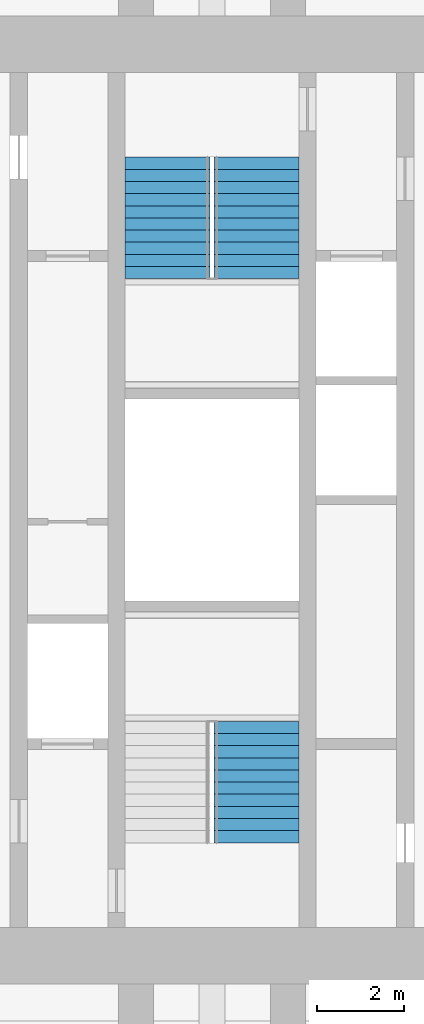
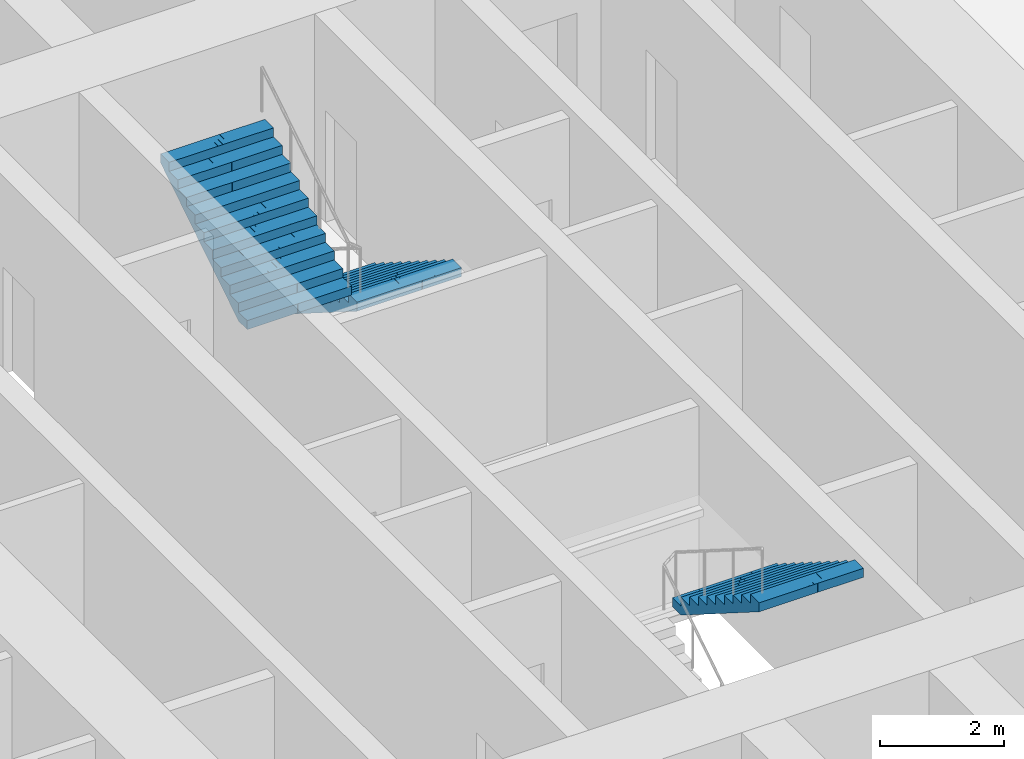
# One storey, part 16 of 17: 3 stair flights, 2 elements without a shape of their own.
"""IFC4 building model written with IfcOpenShell, lengths in metres."""

from ifc_helpers import new_model, si_unit, direction, frame, origin, place, context, subcontext, project, spatial, polyline, outline, extrude, material, type_object, element, aggregate, save


model = new_model("IFC4")

# Units and contexts
model_context = context("Model", 3, precision=1e-05, world=origin(), true_north=direction((0.0, 1.0)))
body_context = subcontext(model_context, "Body", "Model", "MODEL_VIEW")
ifc_project = project(units=[si_unit("LENGTHUNIT", "METRE"), si_unit("AREAUNIT", "SQUARE_METRE"), si_unit("VOLUMEUNIT", "CUBIC_METRE"), si_unit("PLANEANGLEUNIT", "RADIAN"), si_unit("MASSUNIT", "GRAM", prefix="KILO")], contexts=[model_context])

# Site, building, storey
site_placement = place(None, origin())
site = spatial("IfcSite", under=ifc_project, at=site_placement, CompositionType="ELEMENT")
building_placement = place(site_placement, origin())
building = spatial("IfcBuilding", under=site, at=building_placement, Name="Mizan Broadcast Tower", CompositionType="ELEMENT")
storey_placement = place(building_placement, frame((0.0, 0.0, 236.10009765625)))
storey = spatial("IfcBuildingStorey", under=building, at=storey_placement, Name="L55", CompositionType="ELEMENT", Elevation=236.10009765625)

# Stair, stair flight
ifc_material_1 = material(Name="Concrete C40/50", Category="concrete")
stair_type = type_object("IfcStairType", Name="EXIT STAIR", PredefinedType="HALF_TURN_STAIR", material=ifc_material_1)
stair_1_placement = place(storey_placement, origin())
stair_1 = element("IfcStair", 1, at=stair_1_placement, inside=storey, type_object=stair_type, Name="Stair A L55", PredefinedType="HALF_TURN_STAIR")
ifc_material_2 = material(Name="Concrete C40/50", Category="concrete")
stair_flight_type = type_object("IfcStairFlightType", Name="EXIT STAIR FLIGHT", PredefinedType="STRAIGHT", material=ifc_material_2)
stair_flight_1_placement = place(storey_placement, frame((1.02490234375, -5.10009765625, 1.949951171875), z_axis=(0.0, 0.0, 1.0), x_axis=(0.0, -1.0, 0.0)))
stair_flight_1 = element("IfcStairFlight", 2, at=stair_flight_1_placement, type_object=stair_flight_type, Name="A flight 2", NumberOfRisers=11, NumberOfTreads=10, PredefinedType="STRAIGHT", RiserHeight=0.177272727, TreadLength=0.28, context=body_context, shape_type="SweptSolid", body=[
    extrude(outline(polyline([(0.0, 0.0), (0.0, 0.17724609375), (0.280029296875, 0.17724609375), (0.280029296875, 0.3544921875), (0.56005859375, 0.3544921875), (0.56005859375, 0.53173828125), (0.840087890625, 0.53173828125), (0.840087890625, 0.708984375), (1.1201171875, 0.708984375), (1.1201171875, 0.886474609375), (1.39990234375, 0.886474609375), (1.39990234375, 1.063720703125), (1.679931640625, 1.063720703125), (1.679931640625, 1.240966796875), (1.9599609375, 1.240966796875), (1.9599609375, 1.418212890625), (2.239990234375, 1.418212890625), (2.239990234375, 1.595458984375), (2.52001953125, 1.595458984375), (2.52001953125, 1.772705078125), (2.800048828125, 1.772705078125), (2.800048828125, 1.949951171875), (2.800048828125, 1.59521484375), (0.2802734375, 0.0), (0.0, 0.0)])), frame((0.0, 0.97509765625, 0.0), z_axis=(0.0, -1.0, 0.0), x_axis=(1.0, 0.0, 0.0)), (0.0, 0.0, 1.0), 0.4873046875),
    extrude(outline(polyline([(0.0, 0.0), (0.0, 0.17724609375), (0.280029296875, 0.17724609375), (0.280029296875, 0.3544921875), (0.56005859375, 0.3544921875), (0.56005859375, 0.53173828125), (0.840087890625, 0.53173828125), (0.840087890625, 0.708984375), (1.1201171875, 0.708984375), (1.1201171875, 0.886474609375), (1.39990234375, 0.886474609375), (1.39990234375, 1.063720703125), (1.679931640625, 1.063720703125), (1.679931640625, 1.240966796875), (1.9599609375, 1.240966796875), (1.9599609375, 1.418212890625), (2.239990234375, 1.418212890625), (2.239990234375, 1.595458984375), (2.52001953125, 1.595458984375), (2.52001953125, 1.772705078125), (2.800048828125, 1.772705078125), (2.800048828125, 1.949951171875), (2.800048828125, 1.59521484375), (0.2802734375, 0.0), (0.0, 0.0)])), frame((0.0, 0.4873046875, 0.0), z_axis=(0.0, -1.0, 0.0), x_axis=(1.0, 0.0, 0.0)), (0.0, 0.0, 1.0), 0.2431640625),
    extrude(outline(polyline([(0.0, 0.0), (0.0, 0.17724609375), (0.280029296875, 0.17724609375), (0.280029296875, 0.3544921875), (0.56005859375, 0.3544921875), (0.56005859375, 0.53173828125), (0.840087890625, 0.53173828125), (0.840087890625, 0.708984375), (1.1201171875, 0.708984375), (1.1201171875, 0.886474609375), (1.39990234375, 0.886474609375), (1.39990234375, 1.063720703125), (1.679931640625, 1.063720703125), (1.679931640625, 1.240966796875), (1.9599609375, 1.240966796875), (1.9599609375, 1.418212890625), (2.239990234375, 1.418212890625), (2.239990234375, 1.595458984375), (2.52001953125, 1.595458984375), (2.52001953125, 1.772705078125), (2.800048828125, 1.772705078125), (2.800048828125, 1.949951171875), (2.800048828125, 1.59521484375), (0.2802734375, 0.0), (0.0, 0.0)])), frame((0.0, 0.24365234375, 0.0), z_axis=(0.0, -1.0, 0.0), x_axis=(1.0, 0.0, 0.0)), (0.0, 0.0, 1.0), 0.121337890625),
    extrude(outline(polyline([(0.0, 0.0), (0.0, 0.17724609375), (0.280029296875, 0.17724609375), (0.280029296875, 0.3544921875), (0.56005859375, 0.3544921875), (0.56005859375, 0.53173828125), (0.840087890625, 0.53173828125), (0.840087890625, 0.708984375), (1.1201171875, 0.708984375), (1.1201171875, 0.886474609375), (1.39990234375, 0.886474609375), (1.39990234375, 1.063720703125), (1.679931640625, 1.063720703125), (1.679931640625, 1.240966796875), (1.9599609375, 1.240966796875), (1.9599609375, 1.418212890625), (2.239990234375, 1.418212890625), (2.239990234375, 1.595458984375), (2.52001953125, 1.595458984375), (2.52001953125, 1.772705078125), (2.800048828125, 1.772705078125), (2.800048828125, 1.949951171875), (2.800048828125, 1.59521484375), (0.2802734375, 0.0), (0.0, 0.0)])), frame((0.0, 0.121826171875, 0.0), z_axis=(0.0, -1.0, 0.0), x_axis=(1.0, 0.0, 0.0)), (0.0, 0.0, 1.0), 0.060546875),
    extrude(outline(polyline([(0.0, 0.0), (0.0, 0.17724609375), (0.280029296875, 0.17724609375), (0.280029296875, 0.3544921875), (0.56005859375, 0.3544921875), (0.56005859375, 0.53173828125), (0.840087890625, 0.53173828125), (0.840087890625, 0.708984375), (1.1201171875, 0.708984375), (1.1201171875, 0.886474609375), (1.39990234375, 0.886474609375), (1.39990234375, 1.063720703125), (1.679931640625, 1.063720703125), (1.679931640625, 1.240966796875), (1.9599609375, 1.240966796875), (1.9599609375, 1.418212890625), (2.239990234375, 1.418212890625), (2.239990234375, 1.595458984375), (2.52001953125, 1.595458984375), (2.52001953125, 1.772705078125), (2.800048828125, 1.772705078125), (2.800048828125, 1.949951171875), (2.800048828125, 1.59521484375), (0.2802734375, 0.0), (0.0, 0.0)])), frame((0.0, 0.060791015625, 0.0), z_axis=(0.0, -1.0, 0.0), x_axis=(1.0, 0.0, 0.0)), (0.0, 0.0, 1.0), 0.030029296875),
    extrude(outline(polyline([(0.0, 0.0), (0.0, 0.17724609375), (0.280029296875, 0.17724609375), (0.280029296875, 0.3544921875), (0.56005859375, 0.3544921875), (0.56005859375, 0.53173828125), (0.840087890625, 0.53173828125), (0.840087890625, 0.708984375), (1.1201171875, 0.708984375), (1.1201171875, 0.886474609375), (1.39990234375, 0.886474609375), (1.39990234375, 1.063720703125), (1.679931640625, 1.063720703125), (1.679931640625, 1.240966796875), (1.9599609375, 1.240966796875), (1.9599609375, 1.418212890625), (2.239990234375, 1.418212890625), (2.239990234375, 1.595458984375), (2.52001953125, 1.595458984375), (2.52001953125, 1.772705078125), (2.800048828125, 1.772705078125), (2.800048828125, 1.949951171875), (2.800048828125, 1.59521484375), (0.2802734375, 0.0), (0.0, 0.0)])), frame((0.0, 0.0302734375, 0.0), z_axis=(0.0, -1.0, 0.0), x_axis=(1.0, 0.0, 0.0)), (0.0, 0.0, 1.0), 0.060302734375),
    extrude(outline(polyline([(0.0, 0.0), (0.0, 0.17724609375), (0.280029296875, 0.17724609375), (0.280029296875, 0.3544921875), (0.56005859375, 0.3544921875), (0.56005859375, 0.53173828125), (0.840087890625, 0.53173828125), (0.840087890625, 0.708984375), (1.1201171875, 0.708984375), (1.1201171875, 0.886474609375), (1.39990234375, 0.886474609375), (1.39990234375, 1.063720703125), (1.679931640625, 1.063720703125), (1.679931640625, 1.240966796875), (1.9599609375, 1.240966796875), (1.9599609375, 1.418212890625), (2.239990234375, 1.418212890625), (2.239990234375, 1.595458984375), (2.52001953125, 1.595458984375), (2.52001953125, 1.772705078125), (2.800048828125, 1.772705078125), (2.800048828125, 1.949951171875), (2.800048828125, 1.59521484375), (0.2802734375, 0.0), (0.0, 0.0)])), frame((0.0, -0.030517578125, 0.0), z_axis=(0.0, -1.0, 0.0), x_axis=(1.0, 0.0, 0.0)), (0.0, 0.0, 1.0), 0.030029296875),
    extrude(outline(polyline([(0.0, 0.0), (0.0, 0.17724609375), (0.280029296875, 0.17724609375), (0.280029296875, 0.3544921875), (0.56005859375, 0.3544921875), (0.56005859375, 0.53173828125), (0.840087890625, 0.53173828125), (0.840087890625, 0.708984375), (1.1201171875, 0.708984375), (1.1201171875, 0.886474609375), (1.39990234375, 0.886474609375), (1.39990234375, 1.063720703125), (1.679931640625, 1.063720703125), (1.679931640625, 1.240966796875), (1.9599609375, 1.240966796875), (1.9599609375, 1.418212890625), (2.239990234375, 1.418212890625), (2.239990234375, 1.595458984375), (2.52001953125, 1.595458984375), (2.52001953125, 1.772705078125), (2.800048828125, 1.772705078125), (2.800048828125, 1.949951171875), (2.800048828125, 1.59521484375), (0.2802734375, 0.0), (0.0, 0.0)])), frame((0.0, -0.06103515625, 0.0), z_axis=(0.0, -1.0, 0.0), x_axis=(1.0, 0.0, 0.0)), (0.0, 0.0, 1.0), 0.060546875),
    extrude(outline(polyline([(0.0, 0.0), (0.0, 0.17724609375), (0.280029296875, 0.17724609375), (0.280029296875, 0.3544921875), (0.56005859375, 0.3544921875), (0.56005859375, 0.53173828125), (0.840087890625, 0.53173828125), (0.840087890625, 0.708984375), (1.1201171875, 0.708984375), (1.1201171875, 0.886474609375), (1.39990234375, 0.886474609375), (1.39990234375, 1.063720703125), (1.679931640625, 1.063720703125), (1.679931640625, 1.240966796875), (1.9599609375, 1.240966796875), (1.9599609375, 1.418212890625), (2.239990234375, 1.418212890625), (2.239990234375, 1.595458984375), (2.52001953125, 1.595458984375), (2.52001953125, 1.772705078125), (2.800048828125, 1.772705078125), (2.800048828125, 1.949951171875), (2.800048828125, 1.59521484375), (0.2802734375, 0.0), (0.0, 0.0)])), frame((0.0, -0.1220703125, 0.0), z_axis=(0.0, -1.0, 0.0), x_axis=(1.0, 0.0, 0.0)), (0.0, 0.0, 1.0), 0.121337890625),
    extrude(outline(polyline([(0.0, 0.0), (0.0, 0.17724609375), (0.280029296875, 0.17724609375), (0.280029296875, 0.3544921875), (0.56005859375, 0.3544921875), (0.56005859375, 0.53173828125), (0.840087890625, 0.53173828125), (0.840087890625, 0.708984375), (1.1201171875, 0.708984375), (1.1201171875, 0.886474609375), (1.39990234375, 0.886474609375), (1.39990234375, 1.063720703125), (1.679931640625, 1.063720703125), (1.679931640625, 1.240966796875), (1.9599609375, 1.240966796875), (1.9599609375, 1.418212890625), (2.239990234375, 1.418212890625), (2.239990234375, 1.595458984375), (2.52001953125, 1.595458984375), (2.52001953125, 1.772705078125), (2.800048828125, 1.772705078125), (2.800048828125, 1.949951171875), (2.800048828125, 1.59521484375), (0.2802734375, 0.0), (0.0, 0.0)])), frame((0.0, -0.243896484375, 0.0), z_axis=(0.0, -1.0, 0.0), x_axis=(1.0, 0.0, 0.0)), (0.0, 0.0, 1.0), 0.2431640625),
    extrude(outline(polyline([(0.0, 0.0), (0.0, 0.17724609375), (0.280029296875, 0.17724609375), (0.280029296875, 0.3544921875), (0.56005859375, 0.3544921875), (0.56005859375, 0.53173828125), (0.840087890625, 0.53173828125), (0.840087890625, 0.708984375), (1.1201171875, 0.708984375), (1.1201171875, 0.886474609375), (1.39990234375, 0.886474609375), (1.39990234375, 1.063720703125), (1.679931640625, 1.063720703125), (1.679931640625, 1.240966796875), (1.9599609375, 1.240966796875), (1.9599609375, 1.418212890625), (2.239990234375, 1.418212890625), (2.239990234375, 1.595458984375), (2.52001953125, 1.595458984375), (2.52001953125, 1.772705078125), (2.800048828125, 1.772705078125), (2.800048828125, 1.949951171875), (2.800048828125, 1.59521484375), (0.2802734375, 0.0), (0.0, 0.0)])), frame((0.0, -0.487548828125, 0.0), z_axis=(0.0, -1.0, 0.0), x_axis=(1.0, 0.0, 0.0)), (0.0, 0.0, 1.0), 0.4873046875),
])
aggregate(stair_1, [stair_flight_1])

# Stair, stair flights
stair_2_placement = place(storey_placement, origin())
stair_2 = element("IfcStair", 3, at=stair_2_placement, inside=storey, type_object=stair_type, Name="Stair B L55", PredefinedType="HALF_TURN_STAIR")
stair_flight_2_placement = place(storey_placement, frame((1.02490234375, 7.89990234375, 0.0), z_axis=(0.0, 0.0, 1.0), x_axis=(0.0, -1.0, 0.0)))
stair_flight_2 = element("IfcStairFlight", 4, at=stair_flight_2_placement, type_object=stair_flight_type, Name="B flight 1", NumberOfRisers=11, NumberOfTreads=10, PredefinedType="STRAIGHT", RiserHeight=0.177272727, TreadLength=0.28, context=body_context, shape_type="SweptSolid", body=[
    extrude(outline(polyline([(0.0, 0.0), (0.0, 0.17724609375), (0.280029296875, 0.17724609375), (0.280029296875, 0.3544921875), (0.56005859375, 0.3544921875), (0.56005859375, 0.53173828125), (0.840087890625, 0.53173828125), (0.840087890625, 0.708984375), (1.1201171875, 0.708984375), (1.1201171875, 0.886474609375), (1.39990234375, 0.886474609375), (1.39990234375, 1.063720703125), (1.679931640625, 1.063720703125), (1.679931640625, 1.240966796875), (1.9599609375, 1.240966796875), (1.9599609375, 1.418212890625), (2.239990234375, 1.418212890625), (2.239990234375, 1.595458984375), (2.52001953125, 1.595458984375), (2.52001953125, 1.772705078125), (2.800048828125, 1.772705078125), (2.800048828125, 1.949951171875), (2.800048828125, 1.59521484375), (0.2802734375, 0.0), (0.0, 0.0)])), frame((0.0, 0.97509765625, 0.0), z_axis=(0.0, -1.0, 0.0), x_axis=(1.0, 0.0, 0.0)), (0.0, 0.0, 1.0), 0.4873046875),
    extrude(outline(polyline([(0.0, 0.0), (0.0, 0.17724609375), (0.280029296875, 0.17724609375), (0.280029296875, 0.3544921875), (0.56005859375, 0.3544921875), (0.56005859375, 0.53173828125), (0.840087890625, 0.53173828125), (0.840087890625, 0.708984375), (1.1201171875, 0.708984375), (1.1201171875, 0.886474609375), (1.39990234375, 0.886474609375), (1.39990234375, 1.063720703125), (1.679931640625, 1.063720703125), (1.679931640625, 1.240966796875), (1.9599609375, 1.240966796875), (1.9599609375, 1.418212890625), (2.239990234375, 1.418212890625), (2.239990234375, 1.595458984375), (2.52001953125, 1.595458984375), (2.52001953125, 1.772705078125), (2.800048828125, 1.772705078125), (2.800048828125, 1.949951171875), (2.800048828125, 1.59521484375), (0.2802734375, 0.0), (0.0, 0.0)])), frame((0.0, 0.4873046875, 0.0), z_axis=(0.0, -1.0, 0.0), x_axis=(1.0, 0.0, 0.0)), (0.0, 0.0, 1.0), 0.2431640625),
    extrude(outline(polyline([(0.0, 0.0), (0.0, 0.17724609375), (0.280029296875, 0.17724609375), (0.280029296875, 0.3544921875), (0.56005859375, 0.3544921875), (0.56005859375, 0.53173828125), (0.840087890625, 0.53173828125), (0.840087890625, 0.708984375), (1.1201171875, 0.708984375), (1.1201171875, 0.886474609375), (1.39990234375, 0.886474609375), (1.39990234375, 1.063720703125), (1.679931640625, 1.063720703125), (1.679931640625, 1.240966796875), (1.9599609375, 1.240966796875), (1.9599609375, 1.418212890625), (2.239990234375, 1.418212890625), (2.239990234375, 1.595458984375), (2.52001953125, 1.595458984375), (2.52001953125, 1.772705078125), (2.800048828125, 1.772705078125), (2.800048828125, 1.949951171875), (2.800048828125, 1.59521484375), (0.2802734375, 0.0), (0.0, 0.0)])), frame((0.0, 0.24365234375, 0.0), z_axis=(0.0, -1.0, 0.0), x_axis=(1.0, 0.0, 0.0)), (0.0, 0.0, 1.0), 0.121337890625),
    extrude(outline(polyline([(0.0, 0.0), (0.0, 0.17724609375), (0.280029296875, 0.17724609375), (0.280029296875, 0.3544921875), (0.56005859375, 0.3544921875), (0.56005859375, 0.53173828125), (0.840087890625, 0.53173828125), (0.840087890625, 0.708984375), (1.1201171875, 0.708984375), (1.1201171875, 0.886474609375), (1.39990234375, 0.886474609375), (1.39990234375, 1.063720703125), (1.679931640625, 1.063720703125), (1.679931640625, 1.240966796875), (1.9599609375, 1.240966796875), (1.9599609375, 1.418212890625), (2.239990234375, 1.418212890625), (2.239990234375, 1.595458984375), (2.52001953125, 1.595458984375), (2.52001953125, 1.772705078125), (2.800048828125, 1.772705078125), (2.800048828125, 1.949951171875), (2.800048828125, 1.59521484375), (0.2802734375, 0.0), (0.0, 0.0)])), frame((0.0, 0.121826171875, 0.0), z_axis=(0.0, -1.0, 0.0), x_axis=(1.0, 0.0, 0.0)), (0.0, 0.0, 1.0), 0.060546875),
    extrude(outline(polyline([(0.0, 0.0), (0.0, 0.17724609375), (0.280029296875, 0.17724609375), (0.280029296875, 0.3544921875), (0.56005859375, 0.3544921875), (0.56005859375, 0.53173828125), (0.840087890625, 0.53173828125), (0.840087890625, 0.708984375), (1.1201171875, 0.708984375), (1.1201171875, 0.886474609375), (1.39990234375, 0.886474609375), (1.39990234375, 1.063720703125), (1.679931640625, 1.063720703125), (1.679931640625, 1.240966796875), (1.9599609375, 1.240966796875), (1.9599609375, 1.418212890625), (2.239990234375, 1.418212890625), (2.239990234375, 1.595458984375), (2.52001953125, 1.595458984375), (2.52001953125, 1.772705078125), (2.800048828125, 1.772705078125), (2.800048828125, 1.949951171875), (2.800048828125, 1.59521484375), (0.2802734375, 0.0), (0.0, 0.0)])), frame((0.0, 0.060791015625, 0.0), z_axis=(0.0, -1.0, 0.0), x_axis=(1.0, 0.0, 0.0)), (0.0, 0.0, 1.0), 0.030029296875),
    extrude(outline(polyline([(0.0, 0.0), (0.0, 0.17724609375), (0.280029296875, 0.17724609375), (0.280029296875, 0.3544921875), (0.56005859375, 0.3544921875), (0.56005859375, 0.53173828125), (0.840087890625, 0.53173828125), (0.840087890625, 0.708984375), (1.1201171875, 0.708984375), (1.1201171875, 0.886474609375), (1.39990234375, 0.886474609375), (1.39990234375, 1.063720703125), (1.679931640625, 1.063720703125), (1.679931640625, 1.240966796875), (1.9599609375, 1.240966796875), (1.9599609375, 1.418212890625), (2.239990234375, 1.418212890625), (2.239990234375, 1.595458984375), (2.52001953125, 1.595458984375), (2.52001953125, 1.772705078125), (2.800048828125, 1.772705078125), (2.800048828125, 1.949951171875), (2.800048828125, 1.59521484375), (0.2802734375, 0.0), (0.0, 0.0)])), frame((0.0, 0.0302734375, 0.0), z_axis=(0.0, -1.0, 0.0), x_axis=(1.0, 0.0, 0.0)), (0.0, 0.0, 1.0), 0.060302734375),
    extrude(outline(polyline([(0.0, 0.0), (0.0, 0.17724609375), (0.280029296875, 0.17724609375), (0.280029296875, 0.3544921875), (0.56005859375, 0.3544921875), (0.56005859375, 0.53173828125), (0.840087890625, 0.53173828125), (0.840087890625, 0.708984375), (1.1201171875, 0.708984375), (1.1201171875, 0.886474609375), (1.39990234375, 0.886474609375), (1.39990234375, 1.063720703125), (1.679931640625, 1.063720703125), (1.679931640625, 1.240966796875), (1.9599609375, 1.240966796875), (1.9599609375, 1.418212890625), (2.239990234375, 1.418212890625), (2.239990234375, 1.595458984375), (2.52001953125, 1.595458984375), (2.52001953125, 1.772705078125), (2.800048828125, 1.772705078125), (2.800048828125, 1.949951171875), (2.800048828125, 1.59521484375), (0.2802734375, 0.0), (0.0, 0.0)])), frame((0.0, -0.030517578125, 0.0), z_axis=(0.0, -1.0, 0.0), x_axis=(1.0, 0.0, 0.0)), (0.0, 0.0, 1.0), 0.030029296875),
    extrude(outline(polyline([(0.0, 0.0), (0.0, 0.17724609375), (0.280029296875, 0.17724609375), (0.280029296875, 0.3544921875), (0.56005859375, 0.3544921875), (0.56005859375, 0.53173828125), (0.840087890625, 0.53173828125), (0.840087890625, 0.708984375), (1.1201171875, 0.708984375), (1.1201171875, 0.886474609375), (1.39990234375, 0.886474609375), (1.39990234375, 1.063720703125), (1.679931640625, 1.063720703125), (1.679931640625, 1.240966796875), (1.9599609375, 1.240966796875), (1.9599609375, 1.418212890625), (2.239990234375, 1.418212890625), (2.239990234375, 1.595458984375), (2.52001953125, 1.595458984375), (2.52001953125, 1.772705078125), (2.800048828125, 1.772705078125), (2.800048828125, 1.949951171875), (2.800048828125, 1.59521484375), (0.2802734375, 0.0), (0.0, 0.0)])), frame((0.0, -0.06103515625, 0.0), z_axis=(0.0, -1.0, 0.0), x_axis=(1.0, 0.0, 0.0)), (0.0, 0.0, 1.0), 0.060546875),
    extrude(outline(polyline([(0.0, 0.0), (0.0, 0.17724609375), (0.280029296875, 0.17724609375), (0.280029296875, 0.3544921875), (0.56005859375, 0.3544921875), (0.56005859375, 0.53173828125), (0.840087890625, 0.53173828125), (0.840087890625, 0.708984375), (1.1201171875, 0.708984375), (1.1201171875, 0.886474609375), (1.39990234375, 0.886474609375), (1.39990234375, 1.063720703125), (1.679931640625, 1.063720703125), (1.679931640625, 1.240966796875), (1.9599609375, 1.240966796875), (1.9599609375, 1.418212890625), (2.239990234375, 1.418212890625), (2.239990234375, 1.595458984375), (2.52001953125, 1.595458984375), (2.52001953125, 1.772705078125), (2.800048828125, 1.772705078125), (2.800048828125, 1.949951171875), (2.800048828125, 1.59521484375), (0.2802734375, 0.0), (0.0, 0.0)])), frame((0.0, -0.1220703125, 0.0), z_axis=(0.0, -1.0, 0.0), x_axis=(1.0, 0.0, 0.0)), (0.0, 0.0, 1.0), 0.121337890625),
    extrude(outline(polyline([(0.0, 0.0), (0.0, 0.17724609375), (0.280029296875, 0.17724609375), (0.280029296875, 0.3544921875), (0.56005859375, 0.3544921875), (0.56005859375, 0.53173828125), (0.840087890625, 0.53173828125), (0.840087890625, 0.708984375), (1.1201171875, 0.708984375), (1.1201171875, 0.886474609375), (1.39990234375, 0.886474609375), (1.39990234375, 1.063720703125), (1.679931640625, 1.063720703125), (1.679931640625, 1.240966796875), (1.9599609375, 1.240966796875), (1.9599609375, 1.418212890625), (2.239990234375, 1.418212890625), (2.239990234375, 1.595458984375), (2.52001953125, 1.595458984375), (2.52001953125, 1.772705078125), (2.800048828125, 1.772705078125), (2.800048828125, 1.949951171875), (2.800048828125, 1.59521484375), (0.2802734375, 0.0), (0.0, 0.0)])), frame((0.0, -0.243896484375, 0.0), z_axis=(0.0, -1.0, 0.0), x_axis=(1.0, 0.0, 0.0)), (0.0, 0.0, 1.0), 0.2431640625),
    extrude(outline(polyline([(0.0, 0.0), (0.0, 0.17724609375), (0.280029296875, 0.17724609375), (0.280029296875, 0.3544921875), (0.56005859375, 0.3544921875), (0.56005859375, 0.53173828125), (0.840087890625, 0.53173828125), (0.840087890625, 0.708984375), (1.1201171875, 0.708984375), (1.1201171875, 0.886474609375), (1.39990234375, 0.886474609375), (1.39990234375, 1.063720703125), (1.679931640625, 1.063720703125), (1.679931640625, 1.240966796875), (1.9599609375, 1.240966796875), (1.9599609375, 1.418212890625), (2.239990234375, 1.418212890625), (2.239990234375, 1.595458984375), (2.52001953125, 1.595458984375), (2.52001953125, 1.772705078125), (2.800048828125, 1.772705078125), (2.800048828125, 1.949951171875), (2.800048828125, 1.59521484375), (0.2802734375, 0.0), (0.0, 0.0)])), frame((0.0, -0.487548828125, 0.0), z_axis=(0.0, -1.0, 0.0), x_axis=(1.0, 0.0, 0.0)), (0.0, 0.0, 1.0), 0.4873046875),
])
stair_flight_3_placement = place(storey_placement, frame((-1.02490234375, 5.10009765625, 1.949951171875), z_axis=(0.0, 0.0, 1.0), x_axis=(0.0, 1.0, 0.0)))
stair_flight_3 = element("IfcStairFlight", 5, at=stair_flight_3_placement, type_object=stair_flight_type, Name="B flight 2", NumberOfRisers=11, NumberOfTreads=10, PredefinedType="STRAIGHT", RiserHeight=0.177272727, TreadLength=0.28, context=body_context, shape_type="SweptSolid", body=[
    extrude(outline(polyline([(0.0, 0.0), (0.0, 0.17724609375), (0.280029296875, 0.17724609375), (0.280029296875, 0.3544921875), (0.56005859375, 0.3544921875), (0.56005859375, 0.53173828125), (0.840087890625, 0.53173828125), (0.840087890625, 0.708984375), (1.1201171875, 0.708984375), (1.1201171875, 0.886474609375), (1.39990234375, 0.886474609375), (1.39990234375, 1.063720703125), (1.679931640625, 1.063720703125), (1.679931640625, 1.240966796875), (1.9599609375, 1.240966796875), (1.9599609375, 1.418212890625), (2.239990234375, 1.418212890625), (2.239990234375, 1.595458984375), (2.52001953125, 1.595458984375), (2.52001953125, 1.772705078125), (2.800048828125, 1.772705078125), (2.800048828125, 1.949951171875), (2.800048828125, 1.59521484375), (0.2802734375, 0.0), (0.0, 0.0)])), frame((0.0, 0.97509765625, 0.0), z_axis=(0.0, -1.0, 0.0), x_axis=(1.0, 0.0, 0.0)), (0.0, 0.0, 1.0), 0.4873046875),
    extrude(outline(polyline([(0.0, 0.0), (0.0, 0.17724609375), (0.280029296875, 0.17724609375), (0.280029296875, 0.3544921875), (0.56005859375, 0.3544921875), (0.56005859375, 0.53173828125), (0.840087890625, 0.53173828125), (0.840087890625, 0.708984375), (1.1201171875, 0.708984375), (1.1201171875, 0.886474609375), (1.39990234375, 0.886474609375), (1.39990234375, 1.063720703125), (1.679931640625, 1.063720703125), (1.679931640625, 1.240966796875), (1.9599609375, 1.240966796875), (1.9599609375, 1.418212890625), (2.239990234375, 1.418212890625), (2.239990234375, 1.595458984375), (2.52001953125, 1.595458984375), (2.52001953125, 1.772705078125), (2.800048828125, 1.772705078125), (2.800048828125, 1.949951171875), (2.800048828125, 1.59521484375), (0.2802734375, 0.0), (0.0, 0.0)])), frame((0.0, 0.4873046875, 0.0), z_axis=(0.0, -1.0, 0.0), x_axis=(1.0, 0.0, 0.0)), (0.0, 0.0, 1.0), 0.2431640625),
    extrude(outline(polyline([(0.0, 0.0), (0.0, 0.17724609375), (0.280029296875, 0.17724609375), (0.280029296875, 0.3544921875), (0.56005859375, 0.3544921875), (0.56005859375, 0.53173828125), (0.840087890625, 0.53173828125), (0.840087890625, 0.708984375), (1.1201171875, 0.708984375), (1.1201171875, 0.886474609375), (1.39990234375, 0.886474609375), (1.39990234375, 1.063720703125), (1.679931640625, 1.063720703125), (1.679931640625, 1.240966796875), (1.9599609375, 1.240966796875), (1.9599609375, 1.418212890625), (2.239990234375, 1.418212890625), (2.239990234375, 1.595458984375), (2.52001953125, 1.595458984375), (2.52001953125, 1.772705078125), (2.800048828125, 1.772705078125), (2.800048828125, 1.949951171875), (2.800048828125, 1.59521484375), (0.2802734375, 0.0), (0.0, 0.0)])), frame((0.0, 0.24365234375, 0.0), z_axis=(0.0, -1.0, 0.0), x_axis=(1.0, 0.0, 0.0)), (0.0, 0.0, 1.0), 0.121337890625),
    extrude(outline(polyline([(0.0, 0.0), (0.0, 0.17724609375), (0.280029296875, 0.17724609375), (0.280029296875, 0.3544921875), (0.56005859375, 0.3544921875), (0.56005859375, 0.53173828125), (0.840087890625, 0.53173828125), (0.840087890625, 0.708984375), (1.1201171875, 0.708984375), (1.1201171875, 0.886474609375), (1.39990234375, 0.886474609375), (1.39990234375, 1.063720703125), (1.679931640625, 1.063720703125), (1.679931640625, 1.240966796875), (1.9599609375, 1.240966796875), (1.9599609375, 1.418212890625), (2.239990234375, 1.418212890625), (2.239990234375, 1.595458984375), (2.52001953125, 1.595458984375), (2.52001953125, 1.772705078125), (2.800048828125, 1.772705078125), (2.800048828125, 1.949951171875), (2.800048828125, 1.59521484375), (0.2802734375, 0.0), (0.0, 0.0)])), frame((0.0, 0.121826171875, 0.0), z_axis=(0.0, -1.0, 0.0), x_axis=(1.0, 0.0, 0.0)), (0.0, 0.0, 1.0), 0.060546875),
    extrude(outline(polyline([(0.0, 0.0), (0.0, 0.17724609375), (0.280029296875, 0.17724609375), (0.280029296875, 0.3544921875), (0.56005859375, 0.3544921875), (0.56005859375, 0.53173828125), (0.840087890625, 0.53173828125), (0.840087890625, 0.708984375), (1.1201171875, 0.708984375), (1.1201171875, 0.886474609375), (1.39990234375, 0.886474609375), (1.39990234375, 1.063720703125), (1.679931640625, 1.063720703125), (1.679931640625, 1.240966796875), (1.9599609375, 1.240966796875), (1.9599609375, 1.418212890625), (2.239990234375, 1.418212890625), (2.239990234375, 1.595458984375), (2.52001953125, 1.595458984375), (2.52001953125, 1.772705078125), (2.800048828125, 1.772705078125), (2.800048828125, 1.949951171875), (2.800048828125, 1.59521484375), (0.2802734375, 0.0), (0.0, 0.0)])), frame((0.0, 0.060791015625, 0.0), z_axis=(0.0, -1.0, 0.0), x_axis=(1.0, 0.0, 0.0)), (0.0, 0.0, 1.0), 0.030029296875),
    extrude(outline(polyline([(0.0, 0.0), (0.0, 0.17724609375), (0.280029296875, 0.17724609375), (0.280029296875, 0.3544921875), (0.56005859375, 0.3544921875), (0.56005859375, 0.53173828125), (0.840087890625, 0.53173828125), (0.840087890625, 0.708984375), (1.1201171875, 0.708984375), (1.1201171875, 0.886474609375), (1.39990234375, 0.886474609375), (1.39990234375, 1.063720703125), (1.679931640625, 1.063720703125), (1.679931640625, 1.240966796875), (1.9599609375, 1.240966796875), (1.9599609375, 1.418212890625), (2.239990234375, 1.418212890625), (2.239990234375, 1.595458984375), (2.52001953125, 1.595458984375), (2.52001953125, 1.772705078125), (2.800048828125, 1.772705078125), (2.800048828125, 1.949951171875), (2.800048828125, 1.59521484375), (0.2802734375, 0.0), (0.0, 0.0)])), frame((0.0, 0.0302734375, 0.0), z_axis=(0.0, -1.0, 0.0), x_axis=(1.0, 0.0, 0.0)), (0.0, 0.0, 1.0), 0.060302734375),
    extrude(outline(polyline([(0.0, 0.0), (0.0, 0.17724609375), (0.280029296875, 0.17724609375), (0.280029296875, 0.3544921875), (0.56005859375, 0.3544921875), (0.56005859375, 0.53173828125), (0.840087890625, 0.53173828125), (0.840087890625, 0.708984375), (1.1201171875, 0.708984375), (1.1201171875, 0.886474609375), (1.39990234375, 0.886474609375), (1.39990234375, 1.063720703125), (1.679931640625, 1.063720703125), (1.679931640625, 1.240966796875), (1.9599609375, 1.240966796875), (1.9599609375, 1.418212890625), (2.239990234375, 1.418212890625), (2.239990234375, 1.595458984375), (2.52001953125, 1.595458984375), (2.52001953125, 1.772705078125), (2.800048828125, 1.772705078125), (2.800048828125, 1.949951171875), (2.800048828125, 1.59521484375), (0.2802734375, 0.0), (0.0, 0.0)])), frame((0.0, -0.030517578125, 0.0), z_axis=(0.0, -1.0, 0.0), x_axis=(1.0, 0.0, 0.0)), (0.0, 0.0, 1.0), 0.030029296875),
    extrude(outline(polyline([(0.0, 0.0), (0.0, 0.17724609375), (0.280029296875, 0.17724609375), (0.280029296875, 0.3544921875), (0.56005859375, 0.3544921875), (0.56005859375, 0.53173828125), (0.840087890625, 0.53173828125), (0.840087890625, 0.708984375), (1.1201171875, 0.708984375), (1.1201171875, 0.886474609375), (1.39990234375, 0.886474609375), (1.39990234375, 1.063720703125), (1.679931640625, 1.063720703125), (1.679931640625, 1.240966796875), (1.9599609375, 1.240966796875), (1.9599609375, 1.418212890625), (2.239990234375, 1.418212890625), (2.239990234375, 1.595458984375), (2.52001953125, 1.595458984375), (2.52001953125, 1.772705078125), (2.800048828125, 1.772705078125), (2.800048828125, 1.949951171875), (2.800048828125, 1.59521484375), (0.2802734375, 0.0), (0.0, 0.0)])), frame((0.0, -0.06103515625, 0.0), z_axis=(0.0, -1.0, 0.0), x_axis=(1.0, 0.0, 0.0)), (0.0, 0.0, 1.0), 0.060546875),
    extrude(outline(polyline([(0.0, 0.0), (0.0, 0.17724609375), (0.280029296875, 0.17724609375), (0.280029296875, 0.3544921875), (0.56005859375, 0.3544921875), (0.56005859375, 0.53173828125), (0.840087890625, 0.53173828125), (0.840087890625, 0.708984375), (1.1201171875, 0.708984375), (1.1201171875, 0.886474609375), (1.39990234375, 0.886474609375), (1.39990234375, 1.063720703125), (1.679931640625, 1.063720703125), (1.679931640625, 1.240966796875), (1.9599609375, 1.240966796875), (1.9599609375, 1.418212890625), (2.239990234375, 1.418212890625), (2.239990234375, 1.595458984375), (2.52001953125, 1.595458984375), (2.52001953125, 1.772705078125), (2.800048828125, 1.772705078125), (2.800048828125, 1.949951171875), (2.800048828125, 1.59521484375), (0.2802734375, 0.0), (0.0, 0.0)])), frame((0.0, -0.1220703125, 0.0), z_axis=(0.0, -1.0, 0.0), x_axis=(1.0, 0.0, 0.0)), (0.0, 0.0, 1.0), 0.121337890625),
    extrude(outline(polyline([(0.0, 0.0), (0.0, 0.17724609375), (0.280029296875, 0.17724609375), (0.280029296875, 0.3544921875), (0.56005859375, 0.3544921875), (0.56005859375, 0.53173828125), (0.840087890625, 0.53173828125), (0.840087890625, 0.708984375), (1.1201171875, 0.708984375), (1.1201171875, 0.886474609375), (1.39990234375, 0.886474609375), (1.39990234375, 1.063720703125), (1.679931640625, 1.063720703125), (1.679931640625, 1.240966796875), (1.9599609375, 1.240966796875), (1.9599609375, 1.418212890625), (2.239990234375, 1.418212890625), (2.239990234375, 1.595458984375), (2.52001953125, 1.595458984375), (2.52001953125, 1.772705078125), (2.800048828125, 1.772705078125), (2.800048828125, 1.949951171875), (2.800048828125, 1.59521484375), (0.2802734375, 0.0), (0.0, 0.0)])), frame((0.0, -0.243896484375, 0.0), z_axis=(0.0, -1.0, 0.0), x_axis=(1.0, 0.0, 0.0)), (0.0, 0.0, 1.0), 0.2431640625),
    extrude(outline(polyline([(0.0, 0.0), (0.0, 0.17724609375), (0.280029296875, 0.17724609375), (0.280029296875, 0.3544921875), (0.56005859375, 0.3544921875), (0.56005859375, 0.53173828125), (0.840087890625, 0.53173828125), (0.840087890625, 0.708984375), (1.1201171875, 0.708984375), (1.1201171875, 0.886474609375), (1.39990234375, 0.886474609375), (1.39990234375, 1.063720703125), (1.679931640625, 1.063720703125), (1.679931640625, 1.240966796875), (1.9599609375, 1.240966796875), (1.9599609375, 1.418212890625), (2.239990234375, 1.418212890625), (2.239990234375, 1.595458984375), (2.52001953125, 1.595458984375), (2.52001953125, 1.772705078125), (2.800048828125, 1.772705078125), (2.800048828125, 1.949951171875), (2.800048828125, 1.59521484375), (0.2802734375, 0.0), (0.0, 0.0)])), frame((0.0, -0.487548828125, 0.0), z_axis=(0.0, -1.0, 0.0), x_axis=(1.0, 0.0, 0.0)), (0.0, 0.0, 1.0), 0.4873046875),
])
aggregate(stair_2, [stair_flight_2, stair_flight_3])

save(model, "model.ifc")
